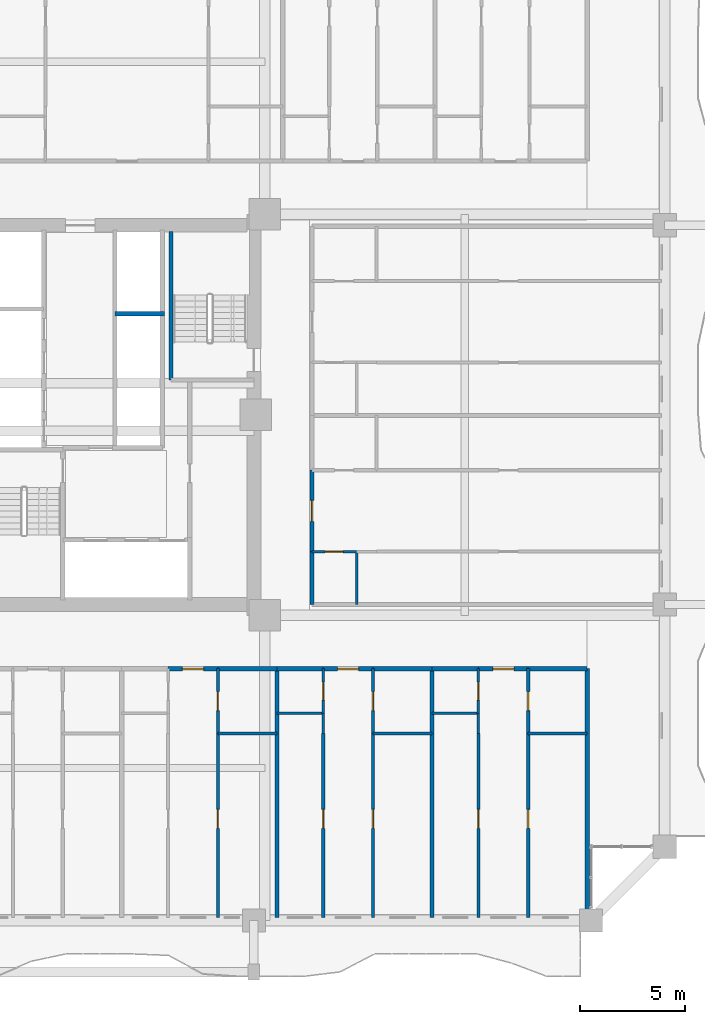
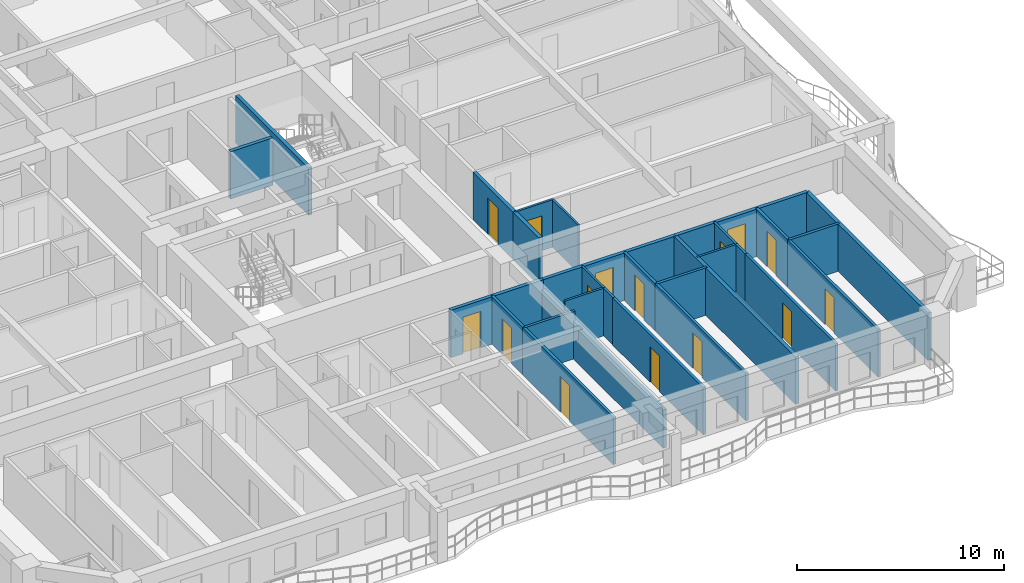
# One storey, part 17 of 28: 34 walls, 15 doors, 15 openings.
"""IFC4 building model written with IfcOpenShell, lengths in metres."""

import ifcopenshell
import ifcopenshell.guid

model = None  # the IFC model being written
_history = None  # IfcOwnerHistory: only IFC2X3 demands one
_inside = {}  # id of a spatial element -> (the spatial element, [elements in it])
_under = {}  # id of a project, library or spatial element -> (it, [spatial elements below it])
_declared = {}  # id of a project -> (the project, [libraries it declares])
_typed = {}  # id of a type object -> (the type object, [elements of that type])
_made_of = {}  # id of a material, layer set ... -> (it, [elements and type objects made of it])


def new_model(schema):
    """Start an empty IFC model of exactly this schema.

    Asked for "IFC4X3", IfcOpenShell would pick the latest addendum, in which some entities
    have other attributes; the version numbers below select the first issue.
    IFC2X3 requires an IfcOwnerHistory on every rooted entity: one is made here for all.
    """
    global model, _history
    if schema == "IFC4X3":
        model = ifcopenshell.file(schema_version=(4, 3, 0, 0))
    else:
        model = ifcopenshell.file(schema=schema)
    _inside.clear()
    _under.clear()
    _declared.clear()
    _typed.clear()
    _made_of.clear()
    _history = None
    if model.schema == "IFC2X3":
        org = make("IfcOrganization", Name="unknown")
        user = make(
            "IfcPersonAndOrganization",
            ThePerson=make("IfcPerson", FamilyName="unknown"),
            TheOrganization=org,
        )
        app = make(
            "IfcApplication",
            ApplicationDeveloper=org,
            Version="unknown",
            ApplicationFullName="unknown",
            ApplicationIdentifier="unknown",
        )
        _history = make(
            "IfcOwnerHistory",
            OwningUser=user,
            OwningApplication=app,
            ChangeAction="ADDED",
            CreationDate=0,
        )
    return model


def make(cls, **values):
    """One entity of the class cls with the attributes given. An attribute that is None is left unset."""
    return model.create_entity(
        cls, **{name: value for name, value in values.items() if value is not None}
    )


def rooted(cls, **values):
    """An entity with a GlobalId (a new one), such as an element, a storey or a relation."""
    return make(cls, GlobalId=ifcopenshell.guid.new(), OwnerHistory=_history, **values)


def si_unit(unit_type, name, prefix=None):
    """IfcSIUnit, for example si_unit("LENGTHUNIT", "METRE", prefix="MILLI")."""
    return make("IfcSIUnit", UnitType=unit_type, Prefix=prefix, Name=name)


def assignment(units):
    """IfcUnitAssignment: the units of a project."""
    return None if units is None else make("IfcUnitAssignment", Units=units)


def point(xyz):
    """IfcCartesianPoint."""
    return None if xyz is None else make("IfcCartesianPoint", Coordinates=xyz)


def direction(xyz):
    """IfcDirection."""
    return None if xyz is None else make("IfcDirection", DirectionRatios=xyz)


def frame(location, z_axis=None, x_axis=None):
    """IfcAxis2Placement3D, a coordinate frame: its origin and axes. An axis left out is left unset."""
    return make(
        "IfcAxis2Placement3D",
        Location=point(location),
        Axis=direction(z_axis),
        RefDirection=direction(x_axis),
    )


def frame_2d(location, x_axis=None):
    """IfcAxis2Placement2D, a coordinate frame in the plane: its origin and x axis."""
    return make(
        "IfcAxis2Placement2D", Location=point(location), RefDirection=direction(x_axis)
    )


def origin():
    """The frame at (0, 0, 0) with its axes left unset."""
    return frame((0.0, 0.0, 0.0))


def place(relative_to, where):
    """IfcLocalPlacement: puts the frame where relative to a parent placement (None: the world)."""
    return make(
        "IfcLocalPlacement", PlacementRelTo=relative_to, RelativePlacement=where
    )


def context(
    kind, dimensions, precision=None, world=None, true_north=None, identifier=None
):
    """IfcGeometricRepresentationContext, for example the 3D "Model" context."""
    return make(
        "IfcGeometricRepresentationContext",
        ContextIdentifier=identifier,
        ContextType=kind,
        CoordinateSpaceDimension=dimensions,
        Precision=precision,
        WorldCoordinateSystem=world,
        TrueNorth=true_north,
    )


def subcontext(parent, identifier, kind, view, scale=None):
    """IfcGeometricRepresentationSubContext, for example "Body" below "Model"."""
    return make(
        "IfcGeometricRepresentationSubContext",
        ContextIdentifier=identifier,
        ContextType=kind,
        ParentContext=parent,
        TargetScale=scale,
        TargetView=view,
    )


def project(units=None, contexts=None):
    """IfcProject with its units and contexts."""
    return rooted(
        "IfcProject",
        Name="project",
        RepresentationContexts=contexts,
        UnitsInContext=assignment(units),
    )


def spatial(cls, under=None, at=None, **own):
    """A site, building, storey or space (cls), placed at a placement, below another one or the project."""
    s = rooted(cls, ObjectPlacement=at, **own)
    if under is not None:
        _under.setdefault(under.id(), (under, []))[1].append(s)
    return s


def profile(cls, at=None, kind="AREA", **sizes):
    """A parametric profile (cls). Its sizes go by their IFC names, for example OverallWidth=200.0."""
    return make(cls, ProfileType=kind, Position=at, **sizes)


def rectangle(**sizes):
    """IfcRectangleProfileDef."""
    return profile("IfcRectangleProfileDef", **sizes)


def extrude(swept, where, along, depth):
    """IfcExtrudedAreaSolid: the profile swept, set in the frame where, extruded along a direction by depth."""
    return make(
        "IfcExtrudedAreaSolid",
        SweptArea=swept,
        Position=where,
        ExtrudedDirection=direction(along),
        Depth=depth,
    )


def shape(context_of_items, identifier, shape_type, items):
    """IfcShapeRepresentation: the items that make up one representation, for example the "Body"."""
    return make(
        "IfcShapeRepresentation",
        ContextOfItems=context_of_items,
        RepresentationIdentifier=identifier,
        RepresentationType=shape_type,
        Items=items,
    )


def source(mapping_origin, context_of_items, identifier, shape_type, items):
    """IfcRepresentationMap: a shape defined once, which mapped items show again and again."""
    return make(
        "IfcRepresentationMap",
        MappingOrigin=mapping_origin,
        MappedRepresentation=shape(context_of_items, identifier, shape_type, items),
    )


def transform(
    local_origin,
    x_axis=None,
    y_axis=None,
    z_axis=None,
    scale=None,
    scale2=None,
    scale3=None,
    uniform=True,
):
    """IfcCartesianTransformationOperator3D, or its non-uniform kind. x_axis, y_axis, z_axis: its Axis1, 2, 3."""
    if uniform:
        return make(
            "IfcCartesianTransformationOperator3D",
            Axis1=direction(x_axis),
            Axis2=direction(y_axis),
            LocalOrigin=point(local_origin),
            Scale=scale,
            Axis3=direction(z_axis),
        )
    return make(
        "IfcCartesianTransformationOperator3DnonUniform",
        Axis1=direction(x_axis),
        Axis2=direction(y_axis),
        LocalOrigin=point(local_origin),
        Scale=scale,
        Axis3=direction(z_axis),
        Scale2=scale2,
        Scale3=scale3,
    )


def mapped(mapping_source, mapping_target):
    """IfcMappedItem: shows the shape of a source again, moved by a transform."""
    return make(
        "IfcMappedItem", MappingSource=mapping_source, MappingTarget=mapping_target
    )


def material(Name=None, Category=None):
    """IfcMaterial."""
    return make("IfcMaterial", Name=Name, Category=Category)


def layer(
    of_material, thickness, ventilated=None, Name=None, Category=None, Priority=None
):
    """IfcMaterialLayer: one layer of a wall or slab, of a material (None: an air gap)."""
    return make(
        "IfcMaterialLayer",
        Material=of_material,
        LayerThickness=thickness,
        IsVentilated=ventilated,
        Name=Name,
        Category=Category,
        Priority=Priority,
    )


def layer_set(layers, Name=None):
    """IfcMaterialLayerSet."""
    return make("IfcMaterialLayerSet", MaterialLayers=layers, LayerSetName=Name)


def made_of(thing, what):
    """Note that an element or type object is made of a material, layer set ...; save() writes the relation."""
    if what is not None:
        _made_of.setdefault(what.id(), (what, []))[1].append(thing)
    return thing


def type_object(cls, material=None, **own):
    """A type object (cls), such as IfcWallType, which elements share."""
    return made_of(rooted(cls, **own), material)


def element(
    cls,
    number,
    at=None,
    inside=None,
    cuts=None,
    type_object=None,
    material=None,
    context=None,
    identifier="Body",
    shape_type=None,
    held_by="IfcProductDefinitionShape",
    body=None,
    shapes=None,
    **own,
):
    """One element of the class cls, such as IfcWall. Its Tag is "e" and its number.

    at: its placement. inside: the storey or other place that contains it. cuts: it is an
    opening in that element (IfcRelVoidsElement). A single representation is given by context,
    identifier, shape_type and body (its items); several are given by shapes. held_by: the class
    of the entity that holds the representations. save() writes the other relations.
    """
    e = rooted(cls, Tag="e%d" % number, ObjectPlacement=at, **own)
    if body is not None:
        shapes = [shape(context, identifier, shape_type, body)]
    if shapes is not None:
        e.Representation = make(held_by, Representations=shapes)
    if inside is not None:
        _inside.setdefault(inside.id(), (inside, []))[1].append(e)
    if cuts is not None:
        rooted(
            "IfcRelVoidsElement", RelatingBuildingElement=cuts, RelatedOpeningElement=e
        )
    if type_object is not None:
        _typed.setdefault(type_object.id(), (type_object, []))[1].append(e)
    return made_of(e, material)


def fill(opening, filler):
    """IfcRelFillsElement: the door or window that sits in an opening."""
    return rooted(
        "IfcRelFillsElement",
        RelatingOpeningElement=opening,
        RelatedBuildingElement=filler,
    )


def aggregate(whole, parts):
    """IfcRelAggregates: a whole, such as a stair, and the parts it consists of."""
    return rooted("IfcRelAggregates", RelatingObject=whole, RelatedObjects=parts)


def save(model, path):
    """Write the relations noted so far, then the file.

    IfcRelAggregates (storeys below a building ...), IfcRelContainedInSpatialStructure (elements
    in a storey), IfcRelDefinesByType, IfcRelAssociatesMaterial and IfcRelDeclares: one each for
    every whole, place, type object, material and project.
    """
    for whole, parts in _under.values():
        aggregate(whole, parts)
    for where, things in _inside.values():
        rooted(
            "IfcRelContainedInSpatialStructure",
            RelatedElements=things,
            RelatingStructure=where,
        )
    for kind, things in _typed.values():
        rooted("IfcRelDefinesByType", RelatedObjects=things, RelatingType=kind)
    for what, things in _made_of.values():
        rooted("IfcRelAssociatesMaterial", RelatedObjects=things, RelatingMaterial=what)
    for by, libraries in _declared.values():
        rooted("IfcRelDeclares", RelatingContext=by, RelatedDefinitions=libraries)
    model.write(path)


model = new_model("IFC4")

# Units and contexts
model_context = context("Model", 3, precision=1e-05, world=origin(), true_north=direction((0.0, 1.0)))
body_context = subcontext(model_context, "Body", "Model", "MODEL_VIEW")
ifc_project = project(units=[si_unit("LENGTHUNIT", "METRE"), si_unit("AREAUNIT", "SQUARE_METRE"), si_unit("VOLUMEUNIT", "CUBIC_METRE"), si_unit("PLANEANGLEUNIT", "RADIAN"), si_unit("MASSUNIT", "GRAM", prefix="KILO")], contexts=[model_context])

# Site, building, storey
site_placement = place(None, origin())
site = spatial("IfcSite", under=ifc_project, at=site_placement, CompositionType="ELEMENT")
building_placement = place(site_placement, origin())
building = spatial("IfcBuilding", under=site, at=building_placement, Name="Saelheon Loggia Tower", CompositionType="ELEMENT")
storey_placement = place(building_placement, frame((0.0, 0.0, 25.39990234375)))
storey = spatial("IfcBuildingStorey", under=building, at=storey_placement, Name="L07", CompositionType="ELEMENT", Elevation=25.39990234375)

# Wall
ifc_material_1 = material(Name="Lightweight Autoclaved Aerated Concrete Block and Acoustic Gypsum", Category="concrete")
ifc_layer_1 = layer(ifc_material_1, 0.14990234375)
ifc_layer_set_1 = layer_set([ifc_layer_1], Name="Lightweight Autoclaved Aerated Concrete Block and Acoustic Gypsum")
wall_type_1 = type_object("IfcWallType", Name="Wall_Part_150", PredefinedType="PARTITIONING", material=ifc_layer_set_1)
wall_1_placement = place(storey_placement, frame((42.789794921875, 11.8798828125, 0.0), z_axis=(0.0, 0.0, 1.0), x_axis=(1.0, 0.0, 0.0)))
element("IfcWall", 1, at=wall_1_placement, inside=storey, type_object=wall_type_1, Name="L07 S Partition V40", PredefinedType="PARTITIONING", context=body_context, shape_type="SweptSolid", body=[
    extrude(rectangle(XDim=2.799072265625, YDim=0.14990234375, at=frame_2d((1.3994140625, 0.0))), origin(), (0.0, 0.0, 1.0), 2.7900390625),
])

# Wall, opening, door
wall_2_placement = place(storey_placement, frame((42.789794921875, 14.949951171875, 0.0), z_axis=(0.0, 0.0, 1.0), x_axis=(0.0, -1.0, 0.0)))
wall_2 = element("IfcWall", 2, at=wall_2_placement, inside=storey, type_object=wall_type_1, Name="L07 S Partition U44", PredefinedType="PARTITIONING", context=body_context, shape_type="SweptSolid", body=[
    extrude(rectangle(XDim=3.070068359375, YDim=0.14990234375, at=frame_2d((1.53515625, 0.0))), origin(), (0.0, 0.0, 1.0), 2.7900390625),
])
opening_1_placement = place(wall_2_placement, frame((1.0849609375, 0.0, 0.0)))
opening_1 = element("IfcOpeningElement", 3, at=opening_1_placement, cuts=wall_2, Name="Opening D-IN2", PredefinedType="OPENING", context=body_context, shape_type="SweptSolid", body=[
    extrude(rectangle(XDim=0.89990234375, YDim=2.10009765625, at=frame_2d((0.449951171875, 1.050048828125))), frame((0.0, 0.0869140625, 0.0), z_axis=(0.0, -1.0, 0.0), x_axis=(1.0, 0.0, 0.0)), (0.0, 0.0, 1.0), 0.173828125),
])
ifc_material_2 = material(Name="Engineered Oak Flush Door", Category="timber")
door_type_1 = type_object("IfcDoorType", Name="Door_Int_900", OperationType="NOTDEFINED", PredefinedType="DOOR", material=ifc_material_2)
shared_shape_1 = source(origin(), body_context, "Body", "SweptSolid", [
    extrude(rectangle(XDim=0.89990234375, YDim=2.10009765625, at=frame_2d((0.449951171875, 1.050048828125))), frame((0.0, 0.02490234375, 0.0), z_axis=(0.0, -1.0, 0.0), x_axis=(1.0, 0.0, 0.0)), (0.0, 0.0, 1.0), 0.050048828125),
])
door_1_placement = place(opening_1_placement, origin())
door_1 = element("IfcDoor", 4, at=door_1_placement, inside=storey, type_object=door_type_1, Name="Unit U04 Dressing Closet Door", OperationType="SINGLE_SWING_LEFT", OverallHeight=2.10009765625, OverallWidth=0.89990234375, PredefinedType="DOOR", context=body_context, shape_type="MappedRepresentation", body=[
    mapped(shared_shape_1, transform((0.0, 0.0, 0.0), scale=1.0)),
])
fill(opening_1, door_1)

wall_3_placement = place(storey_placement, frame((42.789794921875, 11.8798828125, 0.0), z_axis=(0.0, 0.0, 1.0), x_axis=(0.0, -1.0, 0.0)))
wall_3 = element("IfcWall", 5, at=wall_3_placement, inside=storey, type_object=wall_type_1, Name="L07 S Partition U45", PredefinedType="PARTITIONING", context=body_context, shape_type="SweptSolid", body=[
    extrude(rectangle(XDim=8.72998046875, YDim=0.14990234375, at=frame_2d((4.364990234375, 0.0))), origin(), (0.0, 0.0, 1.0), 2.7900390625),
])
opening_2_placement = place(wall_3_placement, frame((3.608642578125, 0.0, 0.0)))
opening_2 = element("IfcOpeningElement", 6, at=opening_2_placement, cuts=wall_3, Name="Opening D-IN2", PredefinedType="OPENING", context=body_context, shape_type="SweptSolid", body=[
    extrude(rectangle(XDim=0.89990234375, YDim=2.10009765625, at=frame_2d((0.449951171875, 1.050048828125))), frame((0.0, 0.0869140625, 0.0), z_axis=(0.0, -1.0, 0.0), x_axis=(1.0, 0.0, 0.0)), (0.0, 0.0, 1.0), 0.173828125),
])
door_2_placement = place(opening_2_placement, origin())
door_2 = element("IfcDoor", 7, at=door_2_placement, inside=storey, type_object=door_type_1, Name="Unit U04 Bedroom 1 Door", OperationType="SINGLE_SWING_RIGHT", OverallHeight=2.10009765625, OverallWidth=0.89990234375, PredefinedType="DOOR", context=body_context, shape_type="MappedRepresentation", body=[
    mapped(shared_shape_1, transform((0.0, 0.0, 0.0), scale=1.0)),
])
fill(opening_2, door_2)

# Wall
wall_4_placement = place(storey_placement, frame((50.155517578125, 11.8798828125, 0.0), z_axis=(0.0, 0.0, 1.0), x_axis=(1.0, 0.0, 0.0)))
element("IfcWall", 8, at=wall_4_placement, inside=storey, type_object=wall_type_1, Name="L07 S Partition V51", PredefinedType="PARTITIONING", context=body_context, shape_type="SweptSolid", body=[
    extrude(rectangle(XDim=2.798828125, YDim=0.14990234375, at=frame_2d((1.3994140625, 0.0))), origin(), (0.0, 0.0, 1.0), 2.7900390625),
])

# Wall, opening, door
wall_5_placement = place(storey_placement, frame((47.788818359375, 11.8798828125, 0.0), z_axis=(0.0, 0.0, 1.0), x_axis=(0.0, -1.0, 0.0)))
wall_5 = element("IfcWall", 9, at=wall_5_placement, inside=storey, type_object=wall_type_1, Name="L07 S Partition U54", PredefinedType="PARTITIONING", context=body_context, shape_type="SweptSolid", body=[
    extrude(rectangle(XDim=8.72998046875, YDim=0.14990234375, at=frame_2d((4.364990234375, 0.0))), origin(), (0.0, 0.0, 1.0), 2.7900390625),
])
opening_3_placement = place(wall_5_placement, frame((3.608642578125, 0.0, 0.0)))
opening_3 = element("IfcOpeningElement", 10, at=opening_3_placement, cuts=wall_5, Name="Opening D-IN2", PredefinedType="OPENING", context=body_context, shape_type="SweptSolid", body=[
    extrude(rectangle(XDim=0.89990234375, YDim=2.10009765625, at=frame_2d((0.449951171875, 1.050048828125))), frame((0.0, 0.0869140625, 0.0), z_axis=(0.0, -1.0, 0.0), x_axis=(1.0, 0.0, 0.0)), (0.0, 0.0, 1.0), 0.173828125),
])
door_3_placement = place(opening_3_placement, origin())
door_3 = element("IfcDoor", 11, at=door_3_placement, inside=storey, type_object=door_type_1, Name="Unit U05 Kitchen Door", OperationType="SINGLE_SWING_LEFT", OverallHeight=2.10009765625, OverallWidth=0.89990234375, PredefinedType="DOOR", context=body_context, shape_type="MappedRepresentation", body=[
    mapped(shared_shape_1, transform((0.0, 0.0, 0.0), scale=1.0)),
])
fill(opening_3, door_3)

wall_6_placement = place(storey_placement, frame((50.155517578125, 14.949951171875, 0.0), z_axis=(0.0, 0.0, 1.0), x_axis=(0.0, -1.0, 0.0)))
wall_6 = element("IfcWall", 12, at=wall_6_placement, inside=storey, type_object=wall_type_1, Name="L07 S Partition U55", PredefinedType="PARTITIONING", context=body_context, shape_type="SweptSolid", body=[
    extrude(rectangle(XDim=3.070068359375, YDim=0.14990234375, at=frame_2d((1.53515625, 0.0))), origin(), (0.0, 0.0, 1.0), 2.7900390625),
])
opening_4_placement = place(wall_6_placement, frame((1.0849609375, 0.0, 0.0)))
opening_4 = element("IfcOpeningElement", 13, at=opening_4_placement, cuts=wall_6, Name="Opening D-IN2", PredefinedType="OPENING", context=body_context, shape_type="SweptSolid", body=[
    extrude(rectangle(XDim=0.89990234375, YDim=2.10009765625, at=frame_2d((0.449951171875, 1.050048828125))), frame((0.0, 0.0869140625, 0.0), z_axis=(0.0, -1.0, 0.0), x_axis=(1.0, 0.0, 0.0)), (0.0, 0.0, 1.0), 0.173828125),
])
door_4_placement = place(opening_4_placement, origin())
door_4 = element("IfcDoor", 14, at=door_4_placement, inside=storey, type_object=door_type_1, Name="Unit U05 Dressing Closet Door", OperationType="SINGLE_SWING_RIGHT", OverallHeight=2.10009765625, OverallWidth=0.89990234375, PredefinedType="DOOR", context=body_context, shape_type="MappedRepresentation", body=[
    mapped(shared_shape_1, transform((0.0, 0.0, 0.0), scale=1.0)),
])
fill(opening_4, door_4)

wall_7_placement = place(storey_placement, frame((50.155517578125, 11.8798828125, 0.0), z_axis=(0.0, 0.0, 1.0), x_axis=(0.0, -1.0, 0.0)))
wall_7 = element("IfcWall", 15, at=wall_7_placement, inside=storey, type_object=wall_type_1, Name="L07 S Partition U56", PredefinedType="PARTITIONING", context=body_context, shape_type="SweptSolid", body=[
    extrude(rectangle(XDim=8.72998046875, YDim=0.14990234375, at=frame_2d((4.364990234375, 0.0))), origin(), (0.0, 0.0, 1.0), 2.7900390625),
])
opening_5_placement = place(wall_7_placement, frame((3.608642578125, 0.0, 0.0)))
opening_5 = element("IfcOpeningElement", 16, at=opening_5_placement, cuts=wall_7, Name="Opening D-IN2", PredefinedType="OPENING", context=body_context, shape_type="SweptSolid", body=[
    extrude(rectangle(XDim=0.89990234375, YDim=2.10009765625, at=frame_2d((0.449951171875, 1.050048828125))), frame((0.0, 0.0869140625, 0.0), z_axis=(0.0, -1.0, 0.0), x_axis=(1.0, 0.0, 0.0)), (0.0, 0.0, 1.0), 0.173828125),
])
door_5_placement = place(opening_5_placement, origin())
door_5 = element("IfcDoor", 17, at=door_5_placement, inside=storey, type_object=door_type_1, Name="Unit U05 Bedroom 1 Door", OperationType="SINGLE_SWING_LEFT", OverallHeight=2.10009765625, OverallWidth=0.89990234375, PredefinedType="DOOR", context=body_context, shape_type="MappedRepresentation", body=[
    mapped(shared_shape_1, transform((0.0, 0.0, 0.0), scale=1.0)),
])
fill(opening_5, door_5)

# Wall
wall_8_placement = place(storey_placement, frame((57.52099609375, 11.8798828125, 0.0), z_axis=(0.0, 0.0, 1.0), x_axis=(1.0, 0.0, 0.0)))
element("IfcWall", 18, at=wall_8_placement, inside=storey, type_object=wall_type_1, Name="L07 S Partition V62", PredefinedType="PARTITIONING", context=body_context, shape_type="SweptSolid", body=[
    extrude(rectangle(XDim=2.799072265625, YDim=0.14990234375, at=frame_2d((1.3994140625, 0.0))), origin(), (0.0, 0.0, 1.0), 2.7900390625),
])

# Wall, opening, door
wall_9_placement = place(storey_placement, frame((55.154296875, 11.8798828125, 0.0), z_axis=(0.0, 0.0, 1.0), x_axis=(0.0, -1.0, 0.0)))
wall_9 = element("IfcWall", 19, at=wall_9_placement, inside=storey, type_object=wall_type_1, Name="L07 S Partition U65", PredefinedType="PARTITIONING", context=body_context, shape_type="SweptSolid", body=[
    extrude(rectangle(XDim=8.72998046875, YDim=0.14990234375, at=frame_2d((4.364990234375, 0.0))), origin(), (0.0, 0.0, 1.0), 2.7900390625),
])
opening_6_placement = place(wall_9_placement, frame((3.608642578125, 0.0, 0.0)))
opening_6 = element("IfcOpeningElement", 20, at=opening_6_placement, cuts=wall_9, Name="Opening D-IN2", PredefinedType="OPENING", context=body_context, shape_type="SweptSolid", body=[
    extrude(rectangle(XDim=0.89990234375, YDim=2.10009765625, at=frame_2d((0.449951171875, 1.050048828125))), frame((0.0, 0.0869140625, 0.0), z_axis=(0.0, -1.0, 0.0), x_axis=(1.0, 0.0, 0.0)), (0.0, 0.0, 1.0), 0.173828125),
])
door_6_placement = place(opening_6_placement, origin())
door_6 = element("IfcDoor", 21, at=door_6_placement, inside=storey, type_object=door_type_1, Name="Unit U06 Kitchen Door", OperationType="SINGLE_SWING_RIGHT", OverallHeight=2.10009765625, OverallWidth=0.89990234375, PredefinedType="DOOR", context=body_context, shape_type="MappedRepresentation", body=[
    mapped(shared_shape_1, transform((0.0, 0.0, 0.0), scale=1.0)),
])
fill(opening_6, door_6)

wall_10_placement = place(storey_placement, frame((57.52099609375, 14.949951171875, 0.0), z_axis=(0.0, 0.0, 1.0), x_axis=(0.0, -1.0, 0.0)))
wall_10 = element("IfcWall", 22, at=wall_10_placement, inside=storey, type_object=wall_type_1, Name="L07 S Partition U66", PredefinedType="PARTITIONING", context=body_context, shape_type="SweptSolid", body=[
    extrude(rectangle(XDim=3.070068359375, YDim=0.14990234375, at=frame_2d((1.53515625, 0.0))), origin(), (0.0, 0.0, 1.0), 2.7900390625),
])
opening_7_placement = place(wall_10_placement, frame((1.0849609375, 0.0, 0.0)))
opening_7 = element("IfcOpeningElement", 23, at=opening_7_placement, cuts=wall_10, Name="Opening D-IN2", PredefinedType="OPENING", context=body_context, shape_type="SweptSolid", body=[
    extrude(rectangle(XDim=0.89990234375, YDim=2.10009765625, at=frame_2d((0.449951171875, 1.050048828125))), frame((0.0, 0.0869140625, 0.0), z_axis=(0.0, -1.0, 0.0), x_axis=(1.0, 0.0, 0.0)), (0.0, 0.0, 1.0), 0.173828125),
])
door_7_placement = place(opening_7_placement, origin())
door_7 = element("IfcDoor", 24, at=door_7_placement, inside=storey, type_object=door_type_1, Name="Unit U06 Dressing Closet Door", OperationType="SINGLE_SWING_LEFT", OverallHeight=2.10009765625, OverallWidth=0.89990234375, PredefinedType="DOOR", context=body_context, shape_type="MappedRepresentation", body=[
    mapped(shared_shape_1, transform((0.0, 0.0, 0.0), scale=1.0)),
])
fill(opening_7, door_7)

wall_11_placement = place(storey_placement, frame((57.52099609375, 11.8798828125, 0.0), z_axis=(0.0, 0.0, 1.0), x_axis=(0.0, -1.0, 0.0)))
wall_11 = element("IfcWall", 25, at=wall_11_placement, inside=storey, type_object=wall_type_1, Name="L07 S Partition U67", PredefinedType="PARTITIONING", context=body_context, shape_type="SweptSolid", body=[
    extrude(rectangle(XDim=8.72998046875, YDim=0.14990234375, at=frame_2d((4.364990234375, 0.0))), origin(), (0.0, 0.0, 1.0), 2.7900390625),
])
opening_8_placement = place(wall_11_placement, frame((3.608642578125, 0.0, 0.0)))
opening_8 = element("IfcOpeningElement", 26, at=opening_8_placement, cuts=wall_11, Name="Opening D-IN2", PredefinedType="OPENING", context=body_context, shape_type="SweptSolid", body=[
    extrude(rectangle(XDim=0.89990234375, YDim=2.10009765625, at=frame_2d((0.449951171875, 1.050048828125))), frame((0.0, 0.0869140625, 0.0), z_axis=(0.0, -1.0, 0.0), x_axis=(1.0, 0.0, 0.0)), (0.0, 0.0, 1.0), 0.173828125),
])
door_8_placement = place(opening_8_placement, origin())
door_8 = element("IfcDoor", 27, at=door_8_placement, inside=storey, type_object=door_type_1, Name="Unit U06 Bedroom 1 Door", OperationType="SINGLE_SWING_RIGHT", OverallHeight=2.10009765625, OverallWidth=0.89990234375, PredefinedType="DOOR", context=body_context, shape_type="MappedRepresentation", body=[
    mapped(shared_shape_1, transform((0.0, 0.0, 0.0), scale=1.0)),
])
fill(opening_8, door_8)

# Wall
ifc_material_3 = material(Name="Double Acoustic Stud and Fireboard Partition", Category="gypsum")
ifc_layer_2 = layer(ifc_material_3, 0.199951171875)
ifc_layer_set_2 = layer_set([ifc_layer_2], Name="Double Acoustic Stud and Fireboard Partition")
wall_type_2 = type_object("IfcWallType", Name="Wall_Party_200", PredefinedType="PARTITIONING", material=ifc_layer_set_2)
wall_12_placement = place(storey_placement, frame((60.320068359375, 14.949951171875, 0.0), z_axis=(0.0, 0.0, 1.0), x_axis=(0.0, -1.0, 0.0)))
element("IfcWall", 28, at=wall_12_placement, inside=storey, type_object=wall_type_2, Name="L07 S Partition U02", PredefinedType="PARTITIONING", context=body_context, shape_type="SweptSolid", body=[
    extrude(rectangle(XDim=11.800048828125, YDim=0.199951171875, at=frame_2d((5.89990234375, 0.0))), origin(), (0.0, 0.0, 1.0), 2.7900390625),
])

# Wall, opening, door
wall_13_placement = place(storey_placement, frame((40.423095703125, 14.949951171875, 0.0), z_axis=(0.0, 0.0, 1.0), x_axis=(1.0, 0.0, 0.0)))
wall_13 = element("IfcWall", 29, at=wall_13_placement, inside=storey, type_object=wall_type_2, Name="L07 S Partition V37", PredefinedType="PARTITIONING", context=body_context, shape_type="SweptSolid", body=[
    extrude(rectangle(XDim=2.36669921875, YDim=0.199951171875, at=frame_2d((1.183349609375, 0.0))), origin(), (0.0, 0.0, 1.0), 2.7900390625),
])
opening_9_placement = place(wall_13_placement, frame((0.683349609375, 0.0, 0.0)))
opening_9 = element("IfcOpeningElement", 30, at=opening_9_placement, cuts=wall_13, Name="Opening D-FD1", PredefinedType="OPENING", context=body_context, shape_type="SweptSolid", body=[
    extrude(rectangle(XDim=1.0, YDim=2.14990234375, at=frame_2d((0.5, 1.074951171875))), frame((0.0, 0.112060546875, 0.0), z_axis=(0.0, -1.0, 0.0), x_axis=(1.0, 0.0, 0.0)), (0.0, 0.0, 1.0), 0.223876953125),
])
ifc_material_4 = material(Name="Fire-Rated Engineered Timber Entrance Door", Category="wood")
door_type_2 = type_object("IfcDoorType", Name="Door_Flat_FD30S", OperationType="NOTDEFINED", PredefinedType="DOOR", material=ifc_material_4)
shared_shape_2 = source(origin(), body_context, "Body", "SweptSolid", [
    extrude(rectangle(XDim=1.0, YDim=2.14990234375, at=frame_2d((0.5, 1.074951171875))), frame((0.0, 0.02490234375, 0.0), z_axis=(0.0, -1.0, 0.0), x_axis=(1.0, 0.0, 0.0)), (0.0, 0.0, 1.0), 0.050048828125),
])
door_9_placement = place(opening_9_placement, origin())
door_9 = element("IfcDoor", 31, at=door_9_placement, inside=storey, type_object=door_type_2, Name="Unit U04 Entrance Door", OperationType="SINGLE_SWING_RIGHT", OverallHeight=2.14990234375, OverallWidth=1.0, PredefinedType="DOOR", context=body_context, shape_type="MappedRepresentation", body=[
    mapped(shared_shape_2, transform((0.0, 0.0, 0.0), scale=1.0)),
])
fill(opening_9, door_9)

# Walls
wall_14_placement = place(storey_placement, frame((42.789794921875, 14.949951171875, 0.0), z_axis=(0.0, 0.0, 1.0), x_axis=(1.0, 0.0, 0.0)))
element("IfcWall", 32, at=wall_14_placement, inside=storey, type_object=wall_type_2, Name="L07 S Partition V38", PredefinedType="PARTITIONING", context=body_context, shape_type="SweptSolid", body=[
    extrude(rectangle(XDim=2.799072265625, YDim=0.199951171875, at=frame_2d((1.3994140625, 0.0))), origin(), (0.0, 0.0, 1.0), 2.7900390625),
])
wall_15_placement = place(storey_placement, frame((45.5888671875, 14.949951171875, 0.0), z_axis=(0.0, 0.0, 1.0), x_axis=(0.0, -1.0, 0.0)))
element("IfcWall", 33, at=wall_15_placement, inside=storey, type_object=wall_type_2, Name="L07 S Partition U46", PredefinedType="PARTITIONING", context=body_context, shape_type="SweptSolid", body=[
    extrude(rectangle(XDim=11.800048828125, YDim=0.199951171875, at=frame_2d((5.89990234375, 0.0))), origin(), (0.0, 0.0, 1.0), 2.239990234375),
])
wall_16_placement = place(storey_placement, frame((45.5888671875, 14.949951171875, 0.0), z_axis=(0.0, 0.0, 1.0), x_axis=(1.0, 0.0, 0.0)))
element("IfcWall", 34, at=wall_16_placement, inside=storey, type_object=wall_type_2, Name="L07 S Partition V47", PredefinedType="PARTITIONING", context=body_context, shape_type="SweptSolid", body=[
    extrude(rectangle(XDim=2.199951171875, YDim=0.199951171875, at=frame_2d((1.10009765625, 0.0))), origin(), (0.0, 0.0, 1.0), 2.7900390625),
])

# Wall, opening, door
wall_17_placement = place(storey_placement, frame((47.788818359375, 14.949951171875, 0.0), z_axis=(0.0, 0.0, 1.0), x_axis=(1.0, 0.0, 0.0)))
wall_17 = element("IfcWall", 35, at=wall_17_placement, inside=storey, type_object=wall_type_2, Name="L07 S Partition V48", PredefinedType="PARTITIONING", context=body_context, shape_type="SweptSolid", body=[
    extrude(rectangle(XDim=2.36669921875, YDim=0.199951171875, at=frame_2d((1.183349609375, 0.0))), origin(), (0.0, 0.0, 1.0), 2.7900390625),
])
opening_10_placement = place(wall_17_placement, frame((0.683349609375, 0.0, 0.0)))
opening_10 = element("IfcOpeningElement", 36, at=opening_10_placement, cuts=wall_17, Name="Opening D-FD1", PredefinedType="OPENING", context=body_context, shape_type="SweptSolid", body=[
    extrude(rectangle(XDim=1.0, YDim=2.14990234375, at=frame_2d((0.5, 1.074951171875))), frame((0.0, 0.112060546875, 0.0), z_axis=(0.0, -1.0, 0.0), x_axis=(1.0, 0.0, 0.0)), (0.0, 0.0, 1.0), 0.223876953125),
])
door_10_placement = place(opening_10_placement, origin())
door_10 = element("IfcDoor", 37, at=door_10_placement, inside=storey, type_object=door_type_2, Name="Unit U05 Entrance Door", OperationType="SINGLE_SWING_LEFT", OverallHeight=2.14990234375, OverallWidth=1.0, PredefinedType="DOOR", context=body_context, shape_type="MappedRepresentation", body=[
    mapped(shared_shape_2, transform((0.0, 0.0, 0.0), scale=1.0)),
])
fill(opening_10, door_10)

# Walls
wall_18_placement = place(storey_placement, frame((50.155517578125, 14.949951171875, 0.0), z_axis=(0.0, 0.0, 1.0), x_axis=(1.0, 0.0, 0.0)))
element("IfcWall", 38, at=wall_18_placement, inside=storey, type_object=wall_type_2, Name="L07 S Partition V49", PredefinedType="PARTITIONING", context=body_context, shape_type="SweptSolid", body=[
    extrude(rectangle(XDim=2.798828125, YDim=0.199951171875, at=frame_2d((1.3994140625, 0.0))), origin(), (0.0, 0.0, 1.0), 2.7900390625),
])
wall_19_placement = place(storey_placement, frame((52.954345703125, 14.949951171875, 0.0), z_axis=(0.0, 0.0, 1.0), x_axis=(0.0, -1.0, 0.0)))
element("IfcWall", 39, at=wall_19_placement, inside=storey, type_object=wall_type_2, Name="L07 S Partition U57", PredefinedType="PARTITIONING", context=body_context, shape_type="SweptSolid", body=[
    extrude(rectangle(XDim=11.800048828125, YDim=0.199951171875, at=frame_2d((5.89990234375, 0.0))), origin(), (0.0, 0.0, 1.0), 2.7900390625),
])
wall_20_placement = place(storey_placement, frame((52.954345703125, 14.949951171875, 0.0), z_axis=(0.0, 0.0, 1.0), x_axis=(1.0, 0.0, 0.0)))
element("IfcWall", 40, at=wall_20_placement, inside=storey, type_object=wall_type_2, Name="L07 S Partition V58", PredefinedType="PARTITIONING", context=body_context, shape_type="SweptSolid", body=[
    extrude(rectangle(XDim=2.199951171875, YDim=0.199951171875, at=frame_2d((1.10009765625, 0.0))), origin(), (0.0, 0.0, 1.0), 2.7900390625),
])

# Wall, opening, door
wall_21_placement = place(storey_placement, frame((55.154296875, 14.949951171875, 0.0), z_axis=(0.0, 0.0, 1.0), x_axis=(1.0, 0.0, 0.0)))
wall_21 = element("IfcWall", 41, at=wall_21_placement, inside=storey, type_object=wall_type_2, Name="L07 S Partition V59", PredefinedType="PARTITIONING", context=body_context, shape_type="SweptSolid", body=[
    extrude(rectangle(XDim=2.36669921875, YDim=0.199951171875, at=frame_2d((1.183349609375, 0.0))), origin(), (0.0, 0.0, 1.0), 2.7900390625),
])
opening_11_placement = place(wall_21_placement, frame((0.683349609375, 0.0, 0.0)))
opening_11 = element("IfcOpeningElement", 42, at=opening_11_placement, cuts=wall_21, Name="Opening D-FD1", PredefinedType="OPENING", context=body_context, shape_type="SweptSolid", body=[
    extrude(rectangle(XDim=1.0, YDim=2.14990234375, at=frame_2d((0.5, 1.074951171875))), frame((0.0, 0.112060546875, 0.0), z_axis=(0.0, -1.0, 0.0), x_axis=(1.0, 0.0, 0.0)), (0.0, 0.0, 1.0), 0.223876953125),
])
door_11_placement = place(opening_11_placement, origin())
door_11 = element("IfcDoor", 43, at=door_11_placement, inside=storey, type_object=door_type_2, Name="Unit U06 Entrance Door", OperationType="SINGLE_SWING_RIGHT", OverallHeight=2.14990234375, OverallWidth=1.0, PredefinedType="DOOR", context=body_context, shape_type="MappedRepresentation", body=[
    mapped(shared_shape_2, transform((0.0, 0.0, 0.0), scale=1.0)),
])
fill(opening_11, door_11)

# Walls
wall_22_placement = place(storey_placement, frame((57.52099609375, 14.949951171875, 0.0), z_axis=(0.0, 0.0, 1.0), x_axis=(1.0, 0.0, 0.0)))
element("IfcWall", 44, at=wall_22_placement, inside=storey, type_object=wall_type_2, Name="L07 S Partition V60", PredefinedType="PARTITIONING", context=body_context, shape_type="SweptSolid", body=[
    extrude(rectangle(XDim=2.799072265625, YDim=0.199951171875, at=frame_2d((1.3994140625, 0.0))), origin(), (0.0, 0.0, 1.0), 2.7900390625),
])
wall_23_placement = place(storey_placement, frame((47.25, 18.0, 0.0), z_axis=(0.0, 0.0, 1.0), x_axis=(0.0, 1.0, 0.0)))
element("IfcWall", 45, at=wall_23_placement, inside=storey, type_object=wall_type_2, Name="L07 E Partition V03", PredefinedType="PARTITIONING", context=body_context, shape_type="SweptSolid", body=[
    extrude(rectangle(XDim=2.512939453125, YDim=0.199951171875, at=frame_2d((1.25634765625, 0.0))), origin(), (0.0, 0.0, 1.0), 2.7900390625),
])

# Wall, opening, door
wall_24_placement = place(storey_placement, frame((47.25, 20.512939453125, 0.0), z_axis=(0.0, 0.0, 1.0), x_axis=(0.0, 1.0, 0.0)))
wall_24 = element("IfcWall", 46, at=wall_24_placement, inside=storey, type_object=wall_type_2, Name="L07 E Partition V04", PredefinedType="PARTITIONING", context=body_context, shape_type="SweptSolid", body=[
    extrude(rectangle(XDim=3.862060546875, YDim=0.199951171875, at=frame_2d((1.93115234375, 0.0))), origin(), (0.0, 0.0, 1.0), 2.7900390625),
])
opening_12_placement = place(wall_24_placement, frame((1.430908203125, 0.0, 0.0)))
opening_12 = element("IfcOpeningElement", 47, at=opening_12_placement, cuts=wall_24, Name="Opening D-FD1", PredefinedType="OPENING", context=body_context, shape_type="SweptSolid", body=[
    extrude(rectangle(XDim=1.0, YDim=2.14990234375, at=frame_2d((0.5, 1.074951171875))), frame((0.0, 0.112060546875, 0.0), z_axis=(0.0, -1.0, 0.0), x_axis=(1.0, 0.0, 0.0)), (0.0, 0.0, 1.0), 0.223876953125),
])
door_12_placement = place(opening_12_placement, origin())
door_12 = element("IfcDoor", 48, at=door_12_placement, inside=storey, type_object=door_type_2, Name="Unit U13 Entrance Door", OperationType="SINGLE_SWING_RIGHT", OverallHeight=2.14990234375, OverallWidth=1.0, PredefinedType="DOOR", context=body_context, shape_type="MappedRepresentation", body=[
    mapped(shared_shape_2, transform((0.0, 0.0, 0.0), scale=1.0)),
])
fill(opening_12, door_12)

# Walls
ifc_material_5 = material(Name="Concrete C40/50", Category="concrete")
ifc_layer_3 = layer(ifc_material_5, 0.199951171875)
ifc_layer_set_3 = layer_set([ifc_layer_3], Name="Concrete C40/50")
wall_type_3 = type_object("IfcWallType", Name="Wall_Shaft_200", PredefinedType="PARTITIONING", material=ifc_layer_set_3)
wall_25_placement = place(storey_placement, frame((37.89990234375, 31.800048828125, 0.0), z_axis=(0.0, 0.0, 1.0), x_axis=(1.0, 0.0, 0.0)))
element("IfcWall", 49, at=wall_25_placement, inside=storey, type_object=wall_type_3, Name="L07 East High-Rise Shaft Divider", PredefinedType="PARTITIONING", context=body_context, shape_type="SweptSolid", body=[
    extrude(rectangle(XDim=2.35009765625, YDim=0.199951171875, at=frame_2d((1.175048828125, 0.0))), origin(), (0.0, 0.0, 1.0), 2.7900390625),
])
ifc_material_6 = material(Name="Concrete C45/55", Category="concrete")
ifc_layer_4 = layer(ifc_material_6, 0.199951171875)
ifc_layer_set_4 = layer_set([ifc_layer_4], Name="Concrete C45/55")
wall_type_4 = type_object("IfcWallType", Name="Wall_StairShaft_RC200", PredefinedType="SOLIDWALL", material=ifc_layer_set_4)
wall_26_placement = place(storey_placement, frame((40.570068359375, 28.64990234375, 0.0), z_axis=(0.0, 0.0, 1.0), x_axis=(0.0, 1.0, 0.0)))
element("IfcWall", 50, at=wall_26_placement, inside=storey, type_object=wall_type_4, Name="L07 Stair ST2 Shaft Wall", PredefinedType="SOLIDWALL", context=body_context, shape_type="SweptSolid", body=[
    extrude(rectangle(XDim=7.050048828125, YDim=0.199951171875, at=frame_2d((3.52490234375, 0.0))), origin(), (0.0, 0.0, 1.0), 2.7900390625),
])
ifc_material_7 = material(Name="Moisture-Resistant Cement Board Partition", Category="gypsum")
ifc_layer_5 = layer(ifc_material_7, 0.1201171875)
ifc_layer_set_5 = layer_set([ifc_layer_5], Name="Moisture-Resistant Cement Board Partition")
wall_type_5 = type_object("IfcWallType", Name="Wall_WetPart_120", PredefinedType="PARTITIONING", material=ifc_layer_set_5)
wall_27_placement = place(storey_placement, frame((45.5888671875, 12.830078125, 0.0), z_axis=(0.0, 0.0, 1.0), x_axis=(1.0, 0.0, 0.0)))
element("IfcWall", 51, at=wall_27_placement, inside=storey, type_object=wall_type_5, Name="L07 S Partition V50", PredefinedType="PARTITIONING", context=body_context, shape_type="SweptSolid", body=[
    extrude(rectangle(XDim=2.199951171875, YDim=0.1201171875, at=frame_2d((1.10009765625, 0.0))), origin(), (0.0, 0.0, 1.0), 2.7900390625),
])

# Wall, opening, door
wall_28_placement = place(storey_placement, frame((47.788818359375, 14.949951171875, 0.0), z_axis=(0.0, 0.0, 1.0), x_axis=(0.0, -1.0, 0.0)))
wall_28 = element("IfcWall", 52, at=wall_28_placement, inside=storey, type_object=wall_type_5, Name="L07 S Partition U52", PredefinedType="PARTITIONING", context=body_context, shape_type="SweptSolid", body=[
    extrude(rectangle(XDim=2.119873046875, YDim=0.1201171875, at=frame_2d((1.06005859375, 0.0))), origin(), (0.0, 0.0, 1.0), 2.7900390625),
])
opening_13_placement = place(wall_28_placement, frame((0.635009765625, 0.0, 0.0)))
opening_13 = element("IfcOpeningElement", 53, at=opening_13_placement, cuts=wall_28, Name="Opening D-BT1", PredefinedType="OPENING", context=body_context, shape_type="SweptSolid", body=[
    extrude(rectangle(XDim=0.85009765625, YDim=2.050048828125, at=frame_2d((0.425048828125, 1.02490234375))), frame((0.0, 0.072021484375, 0.0), z_axis=(0.0, -1.0, 0.0), x_axis=(1.0, 0.0, 0.0)), (0.0, 0.0, 1.0), 0.14404296875),
])
ifc_material_8 = material(Name="Moisture-Resistant Laminate Timber Door", Category="wood")
door_type_3 = type_object("IfcDoorType", Name="Door_Bath_850", OperationType="NOTDEFINED", PredefinedType="DOOR", material=ifc_material_8)
shared_shape_3 = source(origin(), body_context, "Body", "SweptSolid", [
    extrude(rectangle(XDim=0.85009765625, YDim=2.050048828125, at=frame_2d((0.425048828125, 1.02490234375))), frame((0.0, 0.02490234375, 0.0), z_axis=(0.0, -1.0, 0.0), x_axis=(1.0, 0.0, 0.0)), (0.0, 0.0, 1.0), 0.050048828125),
])
door_13_placement = place(opening_13_placement, origin())
door_13 = element("IfcDoor", 54, at=door_13_placement, inside=storey, type_object=door_type_3, Name="Unit U05 Bathroom Door", OperationType="SINGLE_SWING_RIGHT", OverallHeight=2.050048828125, OverallWidth=0.85009765625, PredefinedType="DOOR", context=body_context, shape_type="MappedRepresentation", body=[
    mapped(shared_shape_3, transform((0.0, 0.0, 0.0), scale=1.0)),
])
fill(opening_13, door_13)

# Walls
wall_29_placement = place(storey_placement, frame((47.788818359375, 12.830078125, 0.0), z_axis=(0.0, 0.0, 1.0), x_axis=(0.0, -1.0, 0.0)))
element("IfcWall", 55, at=wall_29_placement, inside=storey, type_object=wall_type_5, Name="L07 S Partition U53", PredefinedType="PARTITIONING", context=body_context, shape_type="SweptSolid", body=[
    extrude(rectangle(XDim=0.9501953125, YDim=0.1201171875, at=frame_2d((0.47509765625, 0.0))), origin(), (0.0, 0.0, 1.0), 2.7900390625),
])
wall_30_placement = place(storey_placement, frame((52.954345703125, 12.830078125, 0.0), z_axis=(0.0, 0.0, 1.0), x_axis=(1.0, 0.0, 0.0)))
element("IfcWall", 56, at=wall_30_placement, inside=storey, type_object=wall_type_5, Name="L07 S Partition V61", PredefinedType="PARTITIONING", context=body_context, shape_type="SweptSolid", body=[
    extrude(rectangle(XDim=2.199951171875, YDim=0.1201171875, at=frame_2d((1.10009765625, 0.0))), origin(), (0.0, 0.0, 1.0), 2.7900390625),
])

# Wall, opening, door
wall_31_placement = place(storey_placement, frame((55.154296875, 14.949951171875, 0.0), z_axis=(0.0, 0.0, 1.0), x_axis=(0.0, -1.0, 0.0)))
wall_31 = element("IfcWall", 57, at=wall_31_placement, inside=storey, type_object=wall_type_5, Name="L07 S Partition U63", PredefinedType="PARTITIONING", context=body_context, shape_type="SweptSolid", body=[
    extrude(rectangle(XDim=2.119873046875, YDim=0.1201171875, at=frame_2d((1.06005859375, 0.0))), origin(), (0.0, 0.0, 1.0), 2.7900390625),
])
opening_14_placement = place(wall_31_placement, frame((0.635009765625, 0.0, 0.0)))
opening_14 = element("IfcOpeningElement", 58, at=opening_14_placement, cuts=wall_31, Name="Opening D-BT1", PredefinedType="OPENING", context=body_context, shape_type="SweptSolid", body=[
    extrude(rectangle(XDim=0.85009765625, YDim=2.050048828125, at=frame_2d((0.425048828125, 1.02490234375))), frame((0.0, 0.072021484375, 0.0), z_axis=(0.0, -1.0, 0.0), x_axis=(1.0, 0.0, 0.0)), (0.0, 0.0, 1.0), 0.14404296875),
])
door_14_placement = place(opening_14_placement, origin())
door_14 = element("IfcDoor", 59, at=door_14_placement, inside=storey, type_object=door_type_3, Name="Unit U06 Bathroom Door", OperationType="SINGLE_SWING_LEFT", OverallHeight=2.050048828125, OverallWidth=0.85009765625, PredefinedType="DOOR", context=body_context, shape_type="MappedRepresentation", body=[
    mapped(shared_shape_3, transform((0.0, 0.0, 0.0), scale=1.0)),
])
fill(opening_14, door_14)

# Walls
wall_32_placement = place(storey_placement, frame((55.154296875, 12.830078125, 0.0), z_axis=(0.0, 0.0, 1.0), x_axis=(0.0, -1.0, 0.0)))
element("IfcWall", 60, at=wall_32_placement, inside=storey, type_object=wall_type_5, Name="L07 S Partition U64", PredefinedType="PARTITIONING", context=body_context, shape_type="SweptSolid", body=[
    extrude(rectangle(XDim=0.9501953125, YDim=0.1201171875, at=frame_2d((0.47509765625, 0.0))), origin(), (0.0, 0.0, 1.0), 2.7900390625),
])
wall_33_placement = place(storey_placement, frame((49.3701171875, 18.0, 0.0), z_axis=(0.0, 0.0, 1.0), x_axis=(0.0, 1.0, 0.0)))
element("IfcWall", 61, at=wall_33_placement, inside=storey, type_object=wall_type_5, Name="L07 E Partition V06", PredefinedType="PARTITIONING", context=body_context, shape_type="SweptSolid", body=[
    extrude(rectangle(XDim=2.512939453125, YDim=0.1201171875, at=frame_2d((1.25634765625, 0.0))), origin(), (0.0, 0.0, 1.0), 2.7900390625),
])

# Wall, opening, door
wall_34_placement = place(storey_placement, frame((47.25, 20.512939453125, 0.0), z_axis=(0.0, 0.0, 1.0), x_axis=(1.0, 0.0, 0.0)))
wall_34 = element("IfcWall", 62, at=wall_34_placement, inside=storey, type_object=wall_type_5, Name="L07 E Partition U08", PredefinedType="PARTITIONING", context=body_context, shape_type="SweptSolid", body=[
    extrude(rectangle(XDim=2.1201171875, YDim=0.1201171875, at=frame_2d((1.06005859375, 0.0))), origin(), (0.0, 0.0, 1.0), 2.7900390625),
])
opening_15_placement = place(wall_34_placement, frame((0.635009765625, 0.0, 0.0)))
opening_15 = element("IfcOpeningElement", 63, at=opening_15_placement, cuts=wall_34, Name="Opening D-BT1", PredefinedType="OPENING", context=body_context, shape_type="SweptSolid", body=[
    extrude(rectangle(XDim=0.85009765625, YDim=2.050048828125, at=frame_2d((0.425048828125, 1.02490234375))), frame((0.0, 0.072021484375, 0.0), z_axis=(0.0, -1.0, 0.0), x_axis=(1.0, 0.0, 0.0)), (0.0, 0.0, 1.0), 0.14404296875),
])
door_15_placement = place(opening_15_placement, origin())
door_15 = element("IfcDoor", 64, at=door_15_placement, inside=storey, type_object=door_type_3, Name="Unit U13 Bathroom Door", OperationType="SINGLE_SWING_LEFT", OverallHeight=2.050048828125, OverallWidth=0.85009765625, PredefinedType="DOOR", context=body_context, shape_type="MappedRepresentation", body=[
    mapped(shared_shape_3, transform((0.0, 0.0, 0.0), scale=1.0)),
])
fill(opening_15, door_15)

save(model, "model.ifc")
